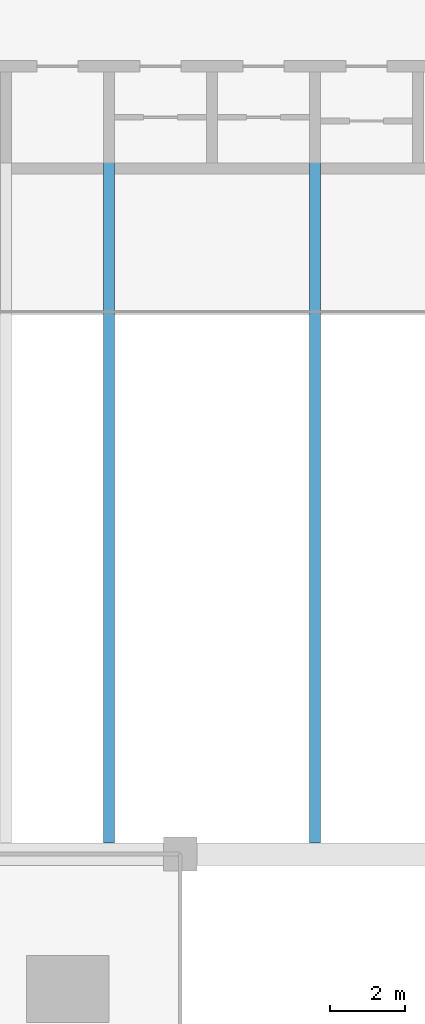
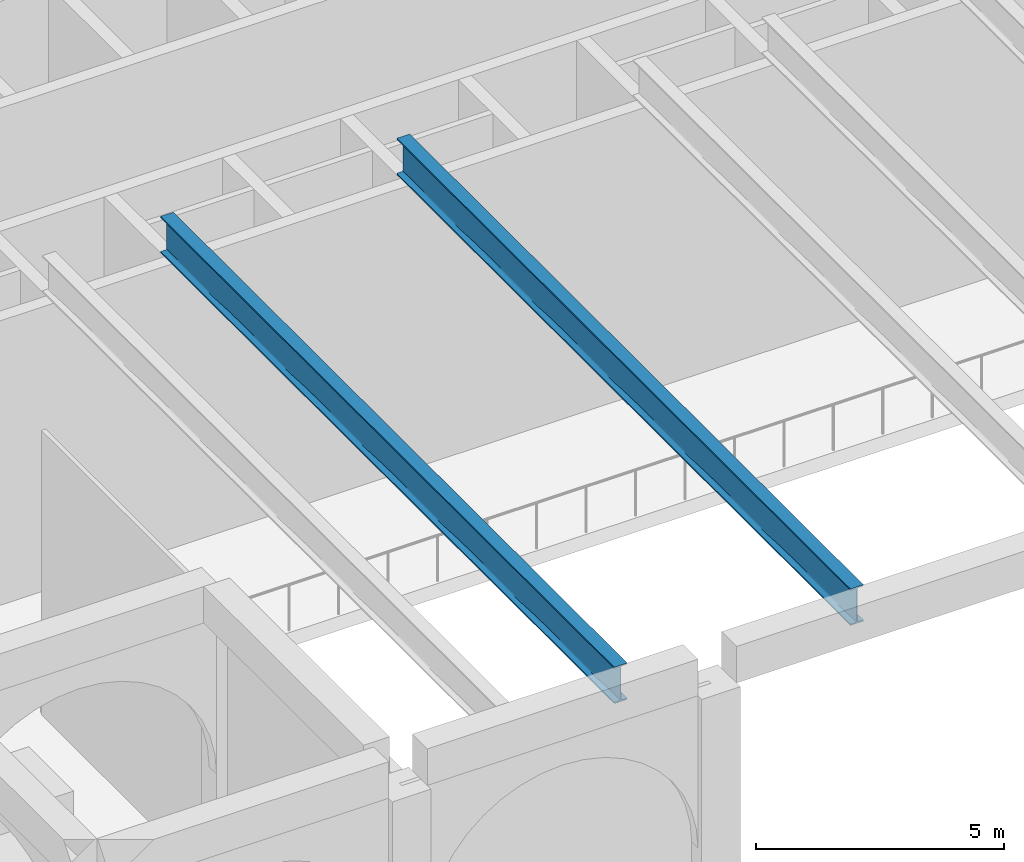
# One storey, part 5 of 17: 2 beams.
"""IFC4 building model written with IfcOpenShell, lengths in metres."""

from ifc_helpers import new_model, si_unit, direction, frame, origin, origin_2d, place, context, subcontext, project, spatial, i_section, extrude, source, transform, mapped, material, material_profile, profile_set, type_object, element, save


model = new_model("IFC4")

# Units and contexts
model_context = context("Model", 3, precision=1e-05, world=origin(), true_north=direction((0.0, 1.0)))
body_context = subcontext(model_context, "Body", "Model", "MODEL_VIEW")
ifc_project = project(units=[si_unit("LENGTHUNIT", "METRE"), si_unit("AREAUNIT", "SQUARE_METRE"), si_unit("VOLUMEUNIT", "CUBIC_METRE"), si_unit("PLANEANGLEUNIT", "RADIAN"), si_unit("MASSUNIT", "GRAM", prefix="KILO")], contexts=[model_context])

# Site, building, storey
site_placement = place(None, origin())
site = spatial("IfcSite", under=ifc_project, at=site_placement, CompositionType="ELEMENT")
building_placement = place(site_placement, origin())
building = spatial("IfcBuilding", under=site, at=building_placement, Name="Saffron Iwan Residences", CompositionType="ELEMENT")
storey_placement = place(building_placement, frame((0.0, 0.0, 274.5)))
storey = spatial("IfcBuildingStorey", under=building, at=storey_placement, Name="L74", CompositionType="ELEMENT", Elevation=274.5)

# Beams
ifc_material = material(Name="Steel S355", Category="steel")
ifc_material_profile = material_profile(ifc_material, i_section(OverallWidth=0.300048828125, OverallDepth=0.89990234375, WebThickness=0.0185546875, FlangeThickness=0.034912109375, FilletRadius=0.030029296875, at=origin_2d()), Name="HE 900 B")
ifc_profile_set = profile_set([ifc_material_profile], Name="Steel S355")
beam_type = type_object("IfcBeamType", Name="ROOFLIGHT GIRDER HE 900 B S355", PredefinedType="BEAM", material=ifc_profile_set)
shared_shape = source(origin(), body_context, "Body", "SweptSolid", [
    extrude(i_section(OverallWidth=0.300048828125, OverallDepth=0.89990234375, WebThickness=0.0185546875, FlangeThickness=0.034912109375, FilletRadius=0.030029296875, at=origin_2d()), origin(), (0.0, 0.0, 1.0), 18.300048828125),
])
for number, where, z_axis, x_axis, name in (
    (1, (41.300048828125, 48.300048828125, 7.449951171875), (0.0, 1.0, 0.0), (-1.0, 0.0, 0.0), "Rooflight girder"),
    (2, (46.800048828125, 48.300048828125, 7.449951171875), (0.0, 1.0, 0.0), (-1.0, 0.0, 0.0), "Rooflight girder"),
):
    element("IfcBeam", number, at=place(storey_placement, frame(where, z_axis=z_axis, x_axis=x_axis)), inside=storey, type_object=beam_type, Name=name, PredefinedType="BEAM", context=body_context, shape_type="MappedRepresentation", body=[
        mapped(shared_shape, transform((0.0, 0.0, 0.0))),
    ])

save(model, "model.ifc")
